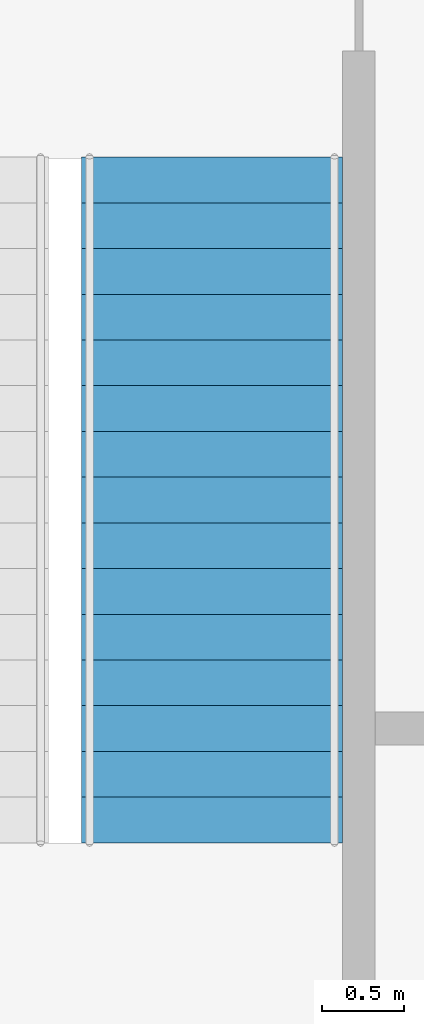
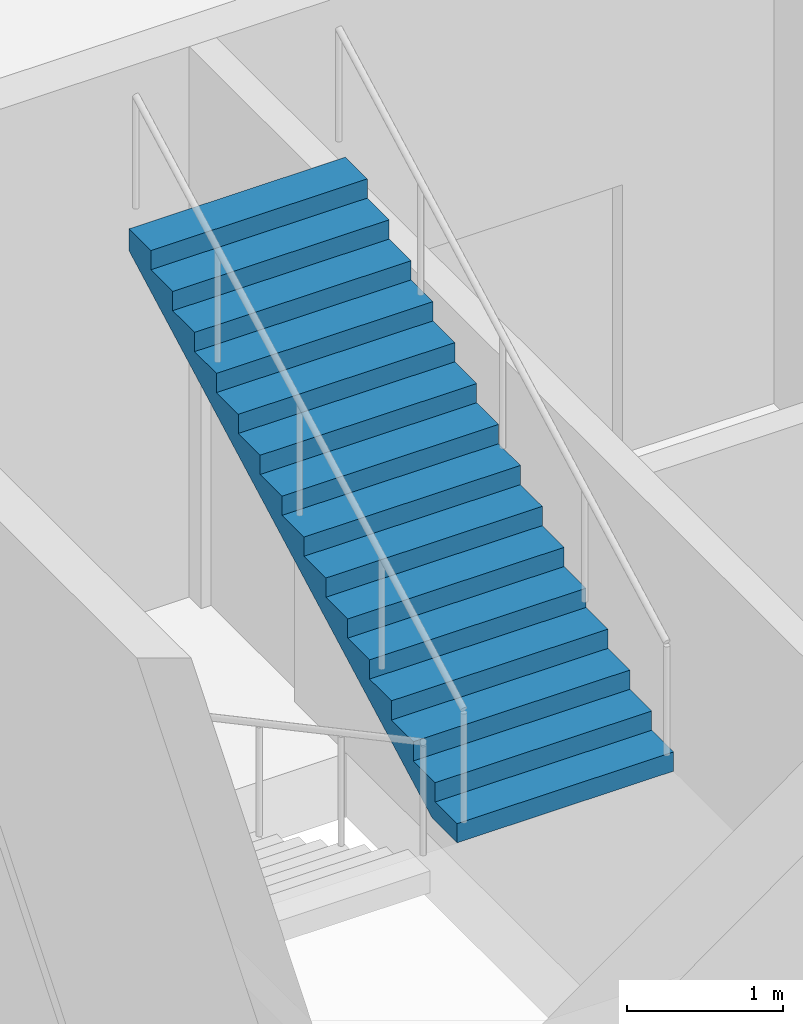
# One storey, part 44 of 53: 1 stair flight, 1 element without a shape of its own.
"""IFC4 building model written with IfcOpenShell, lengths in metres."""

from ifc_helpers import new_model, si_unit, direction, frame, origin, place, context, subcontext, project, spatial, triangles, material, type_object, element, aggregate, save


model = new_model("IFC4")

# Units and contexts
model_context = context("Model", 3, precision=1e-05, world=origin(), true_north=direction((0.0, 1.0)))
body_context = subcontext(model_context, "Body", "Model", "MODEL_VIEW")
ifc_project = project(units=[si_unit("LENGTHUNIT", "METRE"), si_unit("AREAUNIT", "SQUARE_METRE"), si_unit("VOLUMEUNIT", "CUBIC_METRE"), si_unit("PLANEANGLEUNIT", "RADIAN"), si_unit("MASSUNIT", "GRAM", prefix="KILO")], contexts=[model_context])

# Site, building, storey
site_placement = place(None, origin())
site = spatial("IfcSite", under=ifc_project, at=site_placement, CompositionType="ELEMENT")
building_placement = place(site_placement, origin())
building = spatial("IfcBuilding", under=site, at=building_placement, Name="Hakoniwa Tower and Hamabe Station Hall", CompositionType="ELEMENT")
storey_placement = place(building_placement, frame((0.0, 0.0, 15.0)))
storey = spatial("IfcBuildingStorey", under=building, at=storey_placement, Name="L03", CompositionType="ELEMENT", Elevation=15.0)

# Stair, stair flight
ifc_material_1 = material(Name="Concrete C40", Category="concrete")
stair_type = type_object("IfcStairType", Name="STAIR 1600 16X150", PredefinedType="HALF_TURN_STAIR", material=ifc_material_1)
stair_placement = place(storey_placement, origin())
stair = element("IfcStair", 1, at=stair_placement, inside=storey, type_object=stair_type, Name="Escape stair SS3 L03", PredefinedType="HALF_TURN_STAIR")
ifc_material_2 = material(Name="Concrete C40", Category="concrete")
stair_flight_type = type_object("IfcStairFlightType", Name="STAIR FLIGHT 1600", PredefinedType="STRAIGHT", material=ifc_material_2)
stair_flight_placement = place(storey_placement, frame((89.25, -21.10009765625, 2.39990234375), z_axis=(0.0, 0.0, 1.0), x_axis=(0.0, 1.0, 0.0)))
stair_flight = element("IfcStairFlight", 2, at=stair_flight_placement, type_object=stair_flight_type, Name="SS3 flight 2", NumberOfRisers=16, NumberOfTreads=15, PredefinedType="STRAIGHT", RiserHeight=0.15, TreadLength=0.28, context=body_context, shape_type="Tessellation", body=[
    triangles([(0.0, 0.800048828125, 0.0), (0.280029296875, 0.800048828125, 0.0), (0.3173828125, 0.800048828125, 0.0), (0.56005859375, 0.800048828125, 0.1298828125), (0.840087890625, 0.800048828125, 0.280029296875), (1.1201171875, 0.800048828125, 0.429931640625), (1.39990234375, 0.800048828125, 0.579833984375), (1.679931640625, 0.800048828125, 0.72998046875), (1.9599609375, 0.800048828125, 0.8798828125), (2.239990234375, 0.800048828125, 1.030029296875), (2.52001953125, 0.800048828125, 1.179931640625), (2.800048828125, 0.800048828125, 1.329833984375), (3.080078125, 0.800048828125, 1.47998046875), (3.360107421875, 0.800048828125, 1.6298828125), (3.639892578125, 0.800048828125, 1.780029296875), (3.919921875, 0.800048828125, 1.929931640625), (4.199951171875, 0.800048828125, 2.079833984375), (4.199951171875, 0.800048828125, 2.25), (3.919921875, 0.800048828125, 2.25), (3.919921875, 0.800048828125, 2.10009765625), (3.639892578125, 0.800048828125, 2.10009765625), (3.639892578125, 0.800048828125, 1.949951171875), (3.360107421875, 0.800048828125, 1.949951171875), (3.360107421875, 0.800048828125, 1.800048828125), (3.080078125, 0.800048828125, 1.800048828125), (3.080078125, 0.800048828125, 1.64990234375), (2.800048828125, 0.800048828125, 1.64990234375), (2.800048828125, 0.800048828125, 1.5), (2.52001953125, 0.800048828125, 1.5), (2.52001953125, 0.800048828125, 1.35009765625), (2.239990234375, 0.800048828125, 1.35009765625), (2.239990234375, 0.800048828125, 1.199951171875), (1.9599609375, 0.800048828125, 1.199951171875), (1.9599609375, 0.800048828125, 1.050048828125), (1.679931640625, 0.800048828125, 1.050048828125), (1.679931640625, 0.800048828125, 0.89990234375), (1.39990234375, 0.800048828125, 0.89990234375), (1.39990234375, 0.800048828125, 0.75), (1.1201171875, 0.800048828125, 0.75), (1.1201171875, 0.800048828125, 0.60009765625), (0.840087890625, 0.800048828125, 0.60009765625), (0.840087890625, 0.800048828125, 0.449951171875), (0.56005859375, 0.800048828125, 0.449951171875), (0.56005859375, 0.800048828125, 0.300048828125), (0.3173828125, 0.800048828125, 0.300048828125), (0.280029296875, 0.800048828125, 0.300048828125), (0.280029296875, 0.800048828125, 0.14990234375), (0.0, 0.800048828125, 0.14990234375), (0.0, 0.06005859375, 0.0), (0.280029296875, 0.06005859375, 0.0), (0.3173828125, 0.06005859375, 0.0), (0.56005859375, 0.06005859375, 0.1298828125), (0.840087890625, 0.06005859375, 0.280029296875), (1.1201171875, 0.06005859375, 0.429931640625), (1.39990234375, 0.06005859375, 0.579833984375), (1.679931640625, 0.06005859375, 0.72998046875), (1.9599609375, 0.06005859375, 0.8798828125), (2.239990234375, 0.06005859375, 1.030029296875), (2.52001953125, 0.06005859375, 1.179931640625), (2.800048828125, 0.06005859375, 1.329833984375), (3.080078125, 0.06005859375, 1.47998046875), (3.360107421875, 0.06005859375, 1.6298828125), (3.639892578125, 0.06005859375, 1.780029296875), (3.919921875, 0.06005859375, 1.929931640625), (4.199951171875, 0.06005859375, 2.079833984375), (4.199951171875, 0.06005859375, 2.25), (3.919921875, 0.06005859375, 2.25), (3.919921875, 0.06005859375, 2.10009765625), (3.639892578125, 0.06005859375, 2.10009765625), (3.639892578125, 0.06005859375, 1.949951171875), (3.360107421875, 0.06005859375, 1.949951171875), (3.360107421875, 0.06005859375, 1.800048828125), (3.080078125, 0.06005859375, 1.800048828125), (3.080078125, 0.06005859375, 1.64990234375), (2.800048828125, 0.06005859375, 1.64990234375), (2.800048828125, 0.06005859375, 1.5), (2.52001953125, 0.06005859375, 1.5), (2.52001953125, 0.06005859375, 1.35009765625), (2.239990234375, 0.06005859375, 1.35009765625), (2.239990234375, 0.06005859375, 1.199951171875), (1.9599609375, 0.06005859375, 1.199951171875), (1.9599609375, 0.06005859375, 1.050048828125), (1.679931640625, 0.06005859375, 1.050048828125), (1.679931640625, 0.06005859375, 0.89990234375), (1.39990234375, 0.06005859375, 0.89990234375), (1.39990234375, 0.06005859375, 0.75), (1.1201171875, 0.06005859375, 0.75), (1.1201171875, 0.06005859375, 0.60009765625), (0.840087890625, 0.06005859375, 0.60009765625), (0.840087890625, 0.06005859375, 0.449951171875), (0.56005859375, 0.06005859375, 0.449951171875), (0.56005859375, 0.06005859375, 0.300048828125), (0.3173828125, 0.06005859375, 0.300048828125), (0.280029296875, 0.06005859375, 0.300048828125), (0.280029296875, 0.06005859375, 0.14990234375), (0.0, 0.06005859375, 0.14990234375), (0.0, 0.02001953125, 0.0), (0.280029296875, 0.02001953125, 0.0), (0.3173828125, 0.02001953125, 0.0), (0.56005859375, 0.02001953125, 0.1298828125), (0.840087890625, 0.02001953125, 0.280029296875), (1.1201171875, 0.02001953125, 0.429931640625), (1.39990234375, 0.02001953125, 0.579833984375), (1.679931640625, 0.02001953125, 0.72998046875), (1.9599609375, 0.02001953125, 0.8798828125), (2.239990234375, 0.02001953125, 1.030029296875), (2.52001953125, 0.02001953125, 1.179931640625), (2.800048828125, 0.02001953125, 1.329833984375), (3.080078125, 0.02001953125, 1.47998046875), (3.360107421875, 0.02001953125, 1.6298828125), (3.639892578125, 0.02001953125, 1.780029296875), (3.919921875, 0.02001953125, 1.929931640625), (4.199951171875, 0.02001953125, 2.079833984375), (4.199951171875, 0.02001953125, 2.25), (3.919921875, 0.02001953125, 2.25), (3.919921875, 0.02001953125, 2.10009765625), (3.639892578125, 0.02001953125, 2.10009765625), (3.639892578125, 0.02001953125, 1.949951171875), (3.360107421875, 0.02001953125, 1.949951171875), (3.360107421875, 0.02001953125, 1.800048828125), (3.080078125, 0.02001953125, 1.800048828125), (3.080078125, 0.02001953125, 1.64990234375), (2.800048828125, 0.02001953125, 1.64990234375), (2.800048828125, 0.02001953125, 1.5), (2.52001953125, 0.02001953125, 1.5), (2.52001953125, 0.02001953125, 1.35009765625), (2.239990234375, 0.02001953125, 1.35009765625), (2.239990234375, 0.02001953125, 1.199951171875), (1.9599609375, 0.02001953125, 1.199951171875), (1.9599609375, 0.02001953125, 1.050048828125), (1.679931640625, 0.02001953125, 1.050048828125), (1.679931640625, 0.02001953125, 0.89990234375), (1.39990234375, 0.02001953125, 0.89990234375), (1.39990234375, 0.02001953125, 0.75), (1.1201171875, 0.02001953125, 0.75), (1.1201171875, 0.02001953125, 0.60009765625), (0.840087890625, 0.02001953125, 0.60009765625), (0.840087890625, 0.02001953125, 0.449951171875), (0.56005859375, 0.02001953125, 0.449951171875), (0.56005859375, 0.02001953125, 0.300048828125), (0.3173828125, 0.02001953125, 0.300048828125), (0.280029296875, 0.02001953125, 0.300048828125), (0.280029296875, 0.02001953125, 0.14990234375), (0.0, 0.02001953125, 0.14990234375), (0.0, -0.02001953125, 0.0), (0.280029296875, -0.02001953125, 0.0), (0.3173828125, -0.02001953125, 0.0), (0.56005859375, -0.02001953125, 0.1298828125), (0.840087890625, -0.02001953125, 0.280029296875), (1.1201171875, -0.02001953125, 0.429931640625), (1.39990234375, -0.02001953125, 0.579833984375), (1.679931640625, -0.02001953125, 0.72998046875), (1.9599609375, -0.02001953125, 0.8798828125), (2.239990234375, -0.02001953125, 1.030029296875), (2.52001953125, -0.02001953125, 1.179931640625), (2.800048828125, -0.02001953125, 1.329833984375), (3.080078125, -0.02001953125, 1.47998046875), (3.360107421875, -0.02001953125, 1.6298828125), (3.639892578125, -0.02001953125, 1.780029296875), (3.919921875, -0.02001953125, 1.929931640625), (4.199951171875, -0.02001953125, 2.079833984375), (4.199951171875, -0.02001953125, 2.25), (3.919921875, -0.02001953125, 2.25), (3.919921875, -0.02001953125, 2.10009765625), (3.639892578125, -0.02001953125, 2.10009765625), (3.639892578125, -0.02001953125, 1.949951171875), (3.360107421875, -0.02001953125, 1.949951171875), (3.360107421875, -0.02001953125, 1.800048828125), (3.080078125, -0.02001953125, 1.800048828125), (3.080078125, -0.02001953125, 1.64990234375), (2.800048828125, -0.02001953125, 1.64990234375), (2.800048828125, -0.02001953125, 1.5), (2.52001953125, -0.02001953125, 1.5), (2.52001953125, -0.02001953125, 1.35009765625), (2.239990234375, -0.02001953125, 1.35009765625), (2.239990234375, -0.02001953125, 1.199951171875), (1.9599609375, -0.02001953125, 1.199951171875), (1.9599609375, -0.02001953125, 1.050048828125), (1.679931640625, -0.02001953125, 1.050048828125), (1.679931640625, -0.02001953125, 0.89990234375), (1.39990234375, -0.02001953125, 0.89990234375), (1.39990234375, -0.02001953125, 0.75), (1.1201171875, -0.02001953125, 0.75), (1.1201171875, -0.02001953125, 0.60009765625), (0.840087890625, -0.02001953125, 0.60009765625), (0.840087890625, -0.02001953125, 0.449951171875), (0.56005859375, -0.02001953125, 0.449951171875), (0.56005859375, -0.02001953125, 0.300048828125), (0.3173828125, -0.02001953125, 0.300048828125), (0.280029296875, -0.02001953125, 0.300048828125), (0.280029296875, -0.02001953125, 0.14990234375), (0.0, -0.02001953125, 0.14990234375), (0.0, -0.06005859375, 0.0), (0.280029296875, -0.06005859375, 0.0), (0.3173828125, -0.06005859375, 0.0), (0.56005859375, -0.06005859375, 0.1298828125), (0.840087890625, -0.06005859375, 0.280029296875), (1.1201171875, -0.06005859375, 0.429931640625), (1.39990234375, -0.06005859375, 0.579833984375), (1.679931640625, -0.06005859375, 0.72998046875), (1.9599609375, -0.06005859375, 0.8798828125), (2.239990234375, -0.06005859375, 1.030029296875), (2.52001953125, -0.06005859375, 1.179931640625), (2.800048828125, -0.06005859375, 1.329833984375), (3.080078125, -0.06005859375, 1.47998046875), (3.360107421875, -0.06005859375, 1.6298828125), (3.639892578125, -0.06005859375, 1.780029296875), (3.919921875, -0.06005859375, 1.929931640625), (4.199951171875, -0.06005859375, 2.079833984375), (4.199951171875, -0.06005859375, 2.25), (3.919921875, -0.06005859375, 2.25), (3.919921875, -0.06005859375, 2.10009765625), (3.639892578125, -0.06005859375, 2.10009765625), (3.639892578125, -0.06005859375, 1.949951171875), (3.360107421875, -0.06005859375, 1.949951171875), (3.360107421875, -0.06005859375, 1.800048828125), (3.080078125, -0.06005859375, 1.800048828125), (3.080078125, -0.06005859375, 1.64990234375), (2.800048828125, -0.06005859375, 1.64990234375), (2.800048828125, -0.06005859375, 1.5), (2.52001953125, -0.06005859375, 1.5), (2.52001953125, -0.06005859375, 1.35009765625), (2.239990234375, -0.06005859375, 1.35009765625), (2.239990234375, -0.06005859375, 1.199951171875), (1.9599609375, -0.06005859375, 1.199951171875), (1.9599609375, -0.06005859375, 1.050048828125), (1.679931640625, -0.06005859375, 1.050048828125), (1.679931640625, -0.06005859375, 0.89990234375), (1.39990234375, -0.06005859375, 0.89990234375), (1.39990234375, -0.06005859375, 0.75), (1.1201171875, -0.06005859375, 0.75), (1.1201171875, -0.06005859375, 0.60009765625), (0.840087890625, -0.06005859375, 0.60009765625), (0.840087890625, -0.06005859375, 0.449951171875), (0.56005859375, -0.06005859375, 0.449951171875), (0.56005859375, -0.06005859375, 0.300048828125), (0.3173828125, -0.06005859375, 0.300048828125), (0.280029296875, -0.06005859375, 0.300048828125), (0.280029296875, -0.06005859375, 0.14990234375), (0.0, -0.06005859375, 0.14990234375), (0.0, -0.800048828125, 0.0), (0.280029296875, -0.800048828125, 0.0), (0.3173828125, -0.800048828125, 0.0), (0.56005859375, -0.800048828125, 0.1298828125), (0.840087890625, -0.800048828125, 0.280029296875), (1.1201171875, -0.800048828125, 0.429931640625), (1.39990234375, -0.800048828125, 0.579833984375), (1.679931640625, -0.800048828125, 0.72998046875), (1.9599609375, -0.800048828125, 0.8798828125), (2.239990234375, -0.800048828125, 1.030029296875), (2.52001953125, -0.800048828125, 1.179931640625), (2.800048828125, -0.800048828125, 1.329833984375), (3.080078125, -0.800048828125, 1.47998046875), (3.360107421875, -0.800048828125, 1.6298828125), (3.639892578125, -0.800048828125, 1.780029296875), (3.919921875, -0.800048828125, 1.929931640625), (4.199951171875, -0.800048828125, 2.079833984375), (4.199951171875, -0.800048828125, 2.25), (3.919921875, -0.800048828125, 2.25), (3.919921875, -0.800048828125, 2.10009765625), (3.639892578125, -0.800048828125, 2.10009765625), (3.639892578125, -0.800048828125, 1.949951171875), (3.360107421875, -0.800048828125, 1.949951171875), (3.360107421875, -0.800048828125, 1.800048828125), (3.080078125, -0.800048828125, 1.800048828125), (3.080078125, -0.800048828125, 1.64990234375), (2.800048828125, -0.800048828125, 1.64990234375), (2.800048828125, -0.800048828125, 1.5), (2.52001953125, -0.800048828125, 1.5), (2.52001953125, -0.800048828125, 1.35009765625), (2.239990234375, -0.800048828125, 1.35009765625), (2.239990234375, -0.800048828125, 1.199951171875), (1.9599609375, -0.800048828125, 1.199951171875), (1.9599609375, -0.800048828125, 1.050048828125), (1.679931640625, -0.800048828125, 1.050048828125), (1.679931640625, -0.800048828125, 0.89990234375), (1.39990234375, -0.800048828125, 0.89990234375), (1.39990234375, -0.800048828125, 0.75), (1.1201171875, -0.800048828125, 0.75), (1.1201171875, -0.800048828125, 0.60009765625), (0.840087890625, -0.800048828125, 0.60009765625), (0.840087890625, -0.800048828125, 0.449951171875), (0.56005859375, -0.800048828125, 0.449951171875), (0.56005859375, -0.800048828125, 0.300048828125), (0.3173828125, -0.800048828125, 0.300048828125), (0.280029296875, -0.800048828125, 0.300048828125), (0.280029296875, -0.800048828125, 0.14990234375), (0.0, -0.800048828125, 0.14990234375)], [[2, 48, 47], [242, 287, 288], [2, 1, 48], [242, 288, 241], [3, 46, 45], [243, 285, 286], [3, 47, 46], [243, 286, 287], [3, 2, 47], [243, 287, 242], [4, 45, 44], [244, 284, 285], [4, 3, 45], [244, 285, 243], [5, 43, 42], [245, 282, 283], [5, 44, 43], [245, 283, 284], [5, 4, 44], [245, 284, 244], [6, 41, 40], [246, 280, 281], [6, 42, 41], [246, 281, 282], [6, 5, 42], [246, 282, 245], [7, 39, 38], [247, 278, 279], [7, 40, 39], [247, 279, 280], [7, 6, 40], [247, 280, 246], [8, 37, 36], [248, 276, 277], [8, 38, 37], [248, 277, 278], [8, 7, 38], [248, 278, 247], [9, 35, 34], [249, 274, 275], [9, 36, 35], [249, 275, 276], [9, 8, 36], [249, 276, 248], [10, 33, 32], [250, 272, 273], [10, 34, 33], [250, 273, 274], [10, 9, 34], [250, 274, 249], [11, 31, 30], [251, 270, 271], [11, 32, 31], [251, 271, 272], [11, 10, 32], [251, 272, 250], [12, 29, 28], [252, 268, 269], [12, 30, 29], [252, 269, 270], [12, 11, 30], [252, 270, 251], [13, 27, 26], [253, 266, 267], [13, 28, 27], [253, 267, 268], [13, 12, 28], [253, 268, 252], [14, 25, 24], [254, 264, 265], [14, 26, 25], [254, 265, 266], [14, 13, 26], [254, 266, 253], [15, 23, 22], [255, 262, 263], [15, 24, 23], [255, 263, 264], [15, 14, 24], [255, 264, 254], [16, 21, 20], [256, 260, 261], [16, 22, 21], [256, 261, 262], [16, 15, 22], [256, 262, 255], [17, 19, 18], [257, 258, 259], [17, 20, 19], [257, 259, 260], [17, 16, 20], [257, 260, 256], [1, 2, 50], [1, 50, 49], [49, 50, 98], [49, 98, 97], [97, 98, 146], [97, 146, 145], [145, 146, 194], [145, 194, 193], [193, 194, 242], [193, 242, 241], [2, 3, 51], [2, 51, 50], [50, 51, 99], [50, 99, 98], [98, 99, 147], [98, 147, 146], [146, 147, 195], [146, 195, 194], [194, 195, 243], [194, 243, 242], [3, 4, 52], [3, 52, 51], [51, 52, 100], [51, 100, 99], [99, 100, 148], [99, 148, 147], [147, 148, 196], [147, 196, 195], [195, 196, 244], [195, 244, 243], [4, 5, 53], [4, 53, 52], [52, 53, 101], [52, 101, 100], [100, 101, 149], [100, 149, 148], [148, 149, 197], [148, 197, 196], [196, 197, 245], [196, 245, 244], [5, 6, 54], [5, 54, 53], [53, 54, 102], [53, 102, 101], [101, 102, 150], [101, 150, 149], [149, 150, 198], [149, 198, 197], [197, 198, 246], [197, 246, 245], [6, 7, 55], [6, 55, 54], [54, 55, 103], [54, 103, 102], [102, 103, 151], [102, 151, 150], [150, 151, 199], [150, 199, 198], [198, 199, 247], [198, 247, 246], [7, 8, 56], [7, 56, 55], [55, 56, 104], [55, 104, 103], [103, 104, 152], [103, 152, 151], [151, 152, 200], [151, 200, 199], [199, 200, 248], [199, 248, 247], [8, 9, 57], [8, 57, 56], [56, 57, 105], [56, 105, 104], [104, 105, 153], [104, 153, 152], [152, 153, 201], [152, 201, 200], [200, 201, 249], [200, 249, 248], [9, 10, 58], [9, 58, 57], [57, 58, 106], [57, 106, 105], [105, 106, 154], [105, 154, 153], [153, 154, 202], [153, 202, 201], [201, 202, 250], [201, 250, 249], [10, 11, 59], [10, 59, 58], [58, 59, 107], [58, 107, 106], [106, 107, 155], [106, 155, 154], [154, 155, 203], [154, 203, 202], [202, 203, 251], [202, 251, 250], [11, 12, 60], [11, 60, 59], [59, 60, 108], [59, 108, 107], [107, 108, 156], [107, 156, 155], [155, 156, 204], [155, 204, 203], [203, 204, 252], [203, 252, 251], [12, 13, 61], [12, 61, 60], [60, 61, 109], [60, 109, 108], [108, 109, 157], [108, 157, 156], [156, 157, 205], [156, 205, 204], [204, 205, 253], [204, 253, 252], [13, 14, 62], [13, 62, 61], [61, 62, 110], [61, 110, 109], [109, 110, 158], [109, 158, 157], [157, 158, 206], [157, 206, 205], [205, 206, 254], [205, 254, 253], [14, 15, 63], [14, 63, 62], [62, 63, 111], [62, 111, 110], [110, 111, 159], [110, 159, 158], [158, 159, 207], [158, 207, 206], [206, 207, 255], [206, 255, 254], [15, 16, 64], [15, 64, 63], [63, 64, 112], [63, 112, 111], [111, 112, 160], [111, 160, 159], [159, 160, 208], [159, 208, 207], [207, 208, 256], [207, 256, 255], [16, 17, 65], [16, 65, 64], [64, 65, 113], [64, 113, 112], [112, 113, 161], [112, 161, 160], [160, 161, 209], [160, 209, 208], [208, 209, 257], [208, 257, 256], [17, 18, 66], [17, 66, 65], [65, 66, 114], [65, 114, 113], [113, 114, 162], [113, 162, 161], [161, 162, 210], [161, 210, 209], [209, 210, 258], [209, 258, 257], [18, 19, 67], [18, 67, 66], [66, 67, 115], [66, 115, 114], [114, 115, 163], [114, 163, 162], [162, 163, 211], [162, 211, 210], [210, 211, 259], [210, 259, 258], [19, 20, 68], [19, 68, 67], [67, 68, 116], [67, 116, 115], [115, 116, 164], [115, 164, 163], [163, 164, 212], [163, 212, 211], [211, 212, 260], [211, 260, 259], [20, 21, 69], [20, 69, 68], [68, 69, 117], [68, 117, 116], [116, 117, 165], [116, 165, 164], [164, 165, 213], [164, 213, 212], [212, 213, 261], [212, 261, 260], [21, 22, 70], [21, 70, 69], [69, 70, 118], [69, 118, 117], [117, 118, 166], [117, 166, 165], [165, 166, 214], [165, 214, 213], [213, 214, 262], [213, 262, 261], [22, 23, 71], [22, 71, 70], [70, 71, 119], [70, 119, 118], [118, 119, 167], [118, 167, 166], [166, 167, 215], [166, 215, 214], [214, 215, 263], [214, 263, 262], [23, 24, 72], [23, 72, 71], [71, 72, 120], [71, 120, 119], [119, 120, 168], [119, 168, 167], [167, 168, 216], [167, 216, 215], [215, 216, 264], [215, 264, 263], [24, 25, 73], [24, 73, 72], [72, 73, 121], [72, 121, 120], [120, 121, 169], [120, 169, 168], [168, 169, 217], [168, 217, 216], [216, 217, 265], [216, 265, 264], [25, 26, 74], [25, 74, 73], [73, 74, 122], [73, 122, 121], [121, 122, 170], [121, 170, 169], [169, 170, 218], [169, 218, 217], [217, 218, 266], [217, 266, 265], [26, 27, 75], [26, 75, 74], [74, 75, 123], [74, 123, 122], [122, 123, 171], [122, 171, 170], [170, 171, 219], [170, 219, 218], [218, 219, 267], [218, 267, 266], [27, 28, 76], [27, 76, 75], [75, 76, 124], [75, 124, 123], [123, 124, 172], [123, 172, 171], [171, 172, 220], [171, 220, 219], [219, 220, 268], [219, 268, 267], [28, 29, 77], [28, 77, 76], [76, 77, 125], [76, 125, 124], [124, 125, 173], [124, 173, 172], [172, 173, 221], [172, 221, 220], [220, 221, 269], [220, 269, 268], [29, 30, 78], [29, 78, 77], [77, 78, 126], [77, 126, 125], [125, 126, 174], [125, 174, 173], [173, 174, 222], [173, 222, 221], [221, 222, 270], [221, 270, 269], [30, 31, 79], [30, 79, 78], [78, 79, 127], [78, 127, 126], [126, 127, 175], [126, 175, 174], [174, 175, 223], [174, 223, 222], [222, 223, 271], [222, 271, 270], [31, 32, 80], [31, 80, 79], [79, 80, 128], [79, 128, 127], [127, 128, 176], [127, 176, 175], [175, 176, 224], [175, 224, 223], [223, 224, 272], [223, 272, 271], [32, 33, 81], [32, 81, 80], [80, 81, 129], [80, 129, 128], [128, 129, 177], [128, 177, 176], [176, 177, 225], [176, 225, 224], [224, 225, 273], [224, 273, 272], [33, 34, 82], [33, 82, 81], [81, 82, 130], [81, 130, 129], [129, 130, 178], [129, 178, 177], [177, 178, 226], [177, 226, 225], [225, 226, 274], [225, 274, 273], [34, 35, 83], [34, 83, 82], [82, 83, 131], [82, 131, 130], [130, 131, 179], [130, 179, 178], [178, 179, 227], [178, 227, 226], [226, 227, 275], [226, 275, 274], [35, 36, 84], [35, 84, 83], [83, 84, 132], [83, 132, 131], [131, 132, 180], [131, 180, 179], [179, 180, 228], [179, 228, 227], [227, 228, 276], [227, 276, 275], [36, 37, 85], [36, 85, 84], [84, 85, 133], [84, 133, 132], [132, 133, 181], [132, 181, 180], [180, 181, 229], [180, 229, 228], [228, 229, 277], [228, 277, 276], [37, 38, 86], [37, 86, 85], [85, 86, 134], [85, 134, 133], [133, 134, 182], [133, 182, 181], [181, 182, 230], [181, 230, 229], [229, 230, 278], [229, 278, 277], [38, 39, 87], [38, 87, 86], [86, 87, 135], [86, 135, 134], [134, 135, 183], [134, 183, 182], [182, 183, 231], [182, 231, 230], [230, 231, 279], [230, 279, 278], [39, 40, 88], [39, 88, 87], [87, 88, 136], [87, 136, 135], [135, 136, 184], [135, 184, 183], [183, 184, 232], [183, 232, 231], [231, 232, 280], [231, 280, 279], [40, 41, 89], [40, 89, 88], [88, 89, 137], [88, 137, 136], [136, 137, 185], [136, 185, 184], [184, 185, 233], [184, 233, 232], [232, 233, 281], [232, 281, 280], [41, 42, 90], [41, 90, 89], [89, 90, 138], [89, 138, 137], [137, 138, 186], [137, 186, 185], [185, 186, 234], [185, 234, 233], [233, 234, 282], [233, 282, 281], [42, 43, 91], [42, 91, 90], [90, 91, 139], [90, 139, 138], [138, 139, 187], [138, 187, 186], [186, 187, 235], [186, 235, 234], [234, 235, 283], [234, 283, 282], [43, 44, 92], [43, 92, 91], [91, 92, 140], [91, 140, 139], [139, 140, 188], [139, 188, 187], [187, 188, 236], [187, 236, 235], [235, 236, 284], [235, 284, 283], [44, 45, 93], [44, 93, 92], [92, 93, 141], [92, 141, 140], [140, 141, 189], [140, 189, 188], [188, 189, 237], [188, 237, 236], [236, 237, 285], [236, 285, 284], [45, 46, 94], [45, 94, 93], [93, 94, 142], [93, 142, 141], [141, 142, 190], [141, 190, 189], [189, 190, 238], [189, 238, 237], [237, 238, 286], [237, 286, 285], [46, 47, 95], [46, 95, 94], [94, 95, 143], [94, 143, 142], [142, 143, 191], [142, 191, 190], [190, 191, 239], [190, 239, 238], [238, 239, 287], [238, 287, 286], [47, 48, 96], [47, 96, 95], [95, 96, 144], [95, 144, 143], [143, 144, 192], [143, 192, 191], [191, 192, 240], [191, 240, 239], [239, 240, 288], [239, 288, 287], [48, 1, 49], [48, 49, 96], [96, 49, 97], [96, 97, 144], [144, 97, 145], [144, 145, 192], [192, 145, 193], [192, 193, 240], [240, 193, 241], [240, 241, 288]], closed=True),
])
aggregate(stair, [stair_flight])

save(model, "model.ifc")
